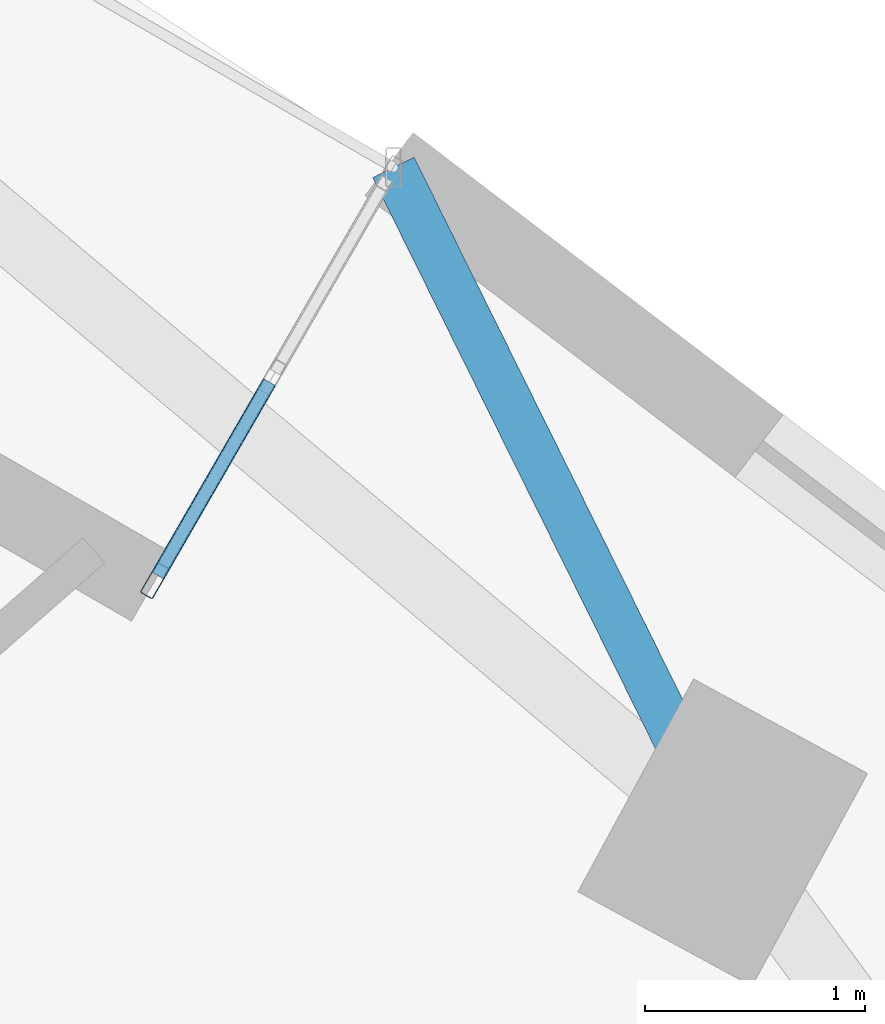
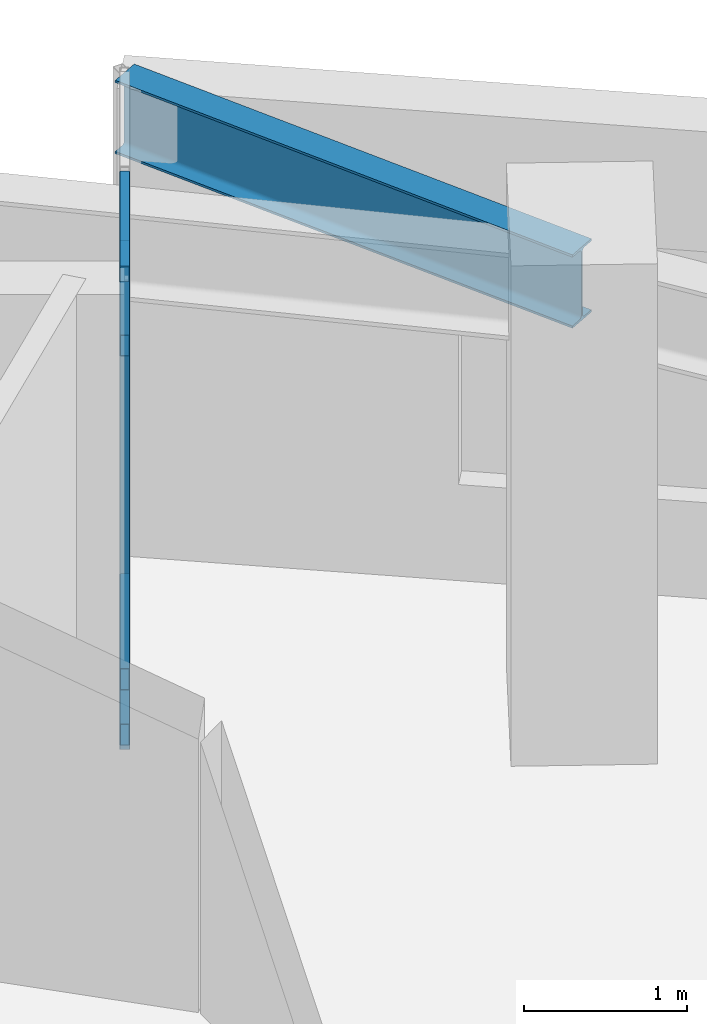
# One storey, part 2 of 14: 5 members, 1 beam, 1 element without a shape of its own.
"""IFC4 building model written with IfcOpenShell, lengths in metres."""

from ifc_helpers import new_model, si_unit, direction, frame, origin, origin_2d, place, context, subcontext, project, spatial, hollow_rectangle, i_section, extrude, material, layer, layer_set, material_profile, profile_set, type_object, element, aggregate, save


model = new_model("IFC4")

# Units and contexts
model_context = context("Model", 3, precision=1e-05, world=origin(), true_north=direction((0.0, 1.0)))
body_context = subcontext(model_context, "Body", "Model", "MODEL_VIEW")
ifc_project = project(units=[si_unit("LENGTHUNIT", "METRE"), si_unit("AREAUNIT", "SQUARE_METRE"), si_unit("VOLUMEUNIT", "CUBIC_METRE"), si_unit("PLANEANGLEUNIT", "RADIAN"), si_unit("MASSUNIT", "GRAM", prefix="KILO")], contexts=[model_context])

# Site, building, storey
site_placement = place(None, origin())
site = spatial("IfcSite", under=ifc_project, at=site_placement, CompositionType="ELEMENT")
building_placement = place(site_placement, origin())
building = spatial("IfcBuilding", under=site, at=building_placement, Name="Ndelora Gate Hotel", CompositionType="ELEMENT")
storey_placement = place(building_placement, frame((0.0, 0.0, 119.75)))
storey = spatial("IfcBuildingStorey", under=building, at=storey_placement, Name="L29", CompositionType="ELEMENT", Elevation=119.75)

# Beam
ifc_material_1 = material(Name="Steel S355", Category="steel")
ifc_material_profile_1 = material_profile(ifc_material_1, i_section(OverallWidth=0.2099609375, OverallDepth=0.550048828125, WebThickness=0.010986328125, FlangeThickness=0.01708984375, FilletRadius=0.02392578125, at=origin_2d()), Name="IPE 550")
ifc_profile_set_1 = profile_set([ifc_material_profile_1], Name="Steel S355")
beam_type = type_object("IfcBeamType", Name="BM-RAD-550", PredefinedType="BEAM", material=ifc_profile_set_1)
beam_placement = place(storey_placement, frame((14.30712890625, 8.767333984375, 3.22509765625), z_axis=(-0.44364812244, 0.896201061959, 0.0), x_axis=(-0.896201061959, -0.44364812244, 0.0)))
element("IfcBeam", 1, at=beam_placement, inside=storey, type_object=beam_type, Name="L29 Sky-Garden Loggia Column Bracket 1", PredefinedType="BEAM", context=body_context, shape_type="SweptSolid", body=[
    extrude(i_section(OverallWidth=0.2099609375, OverallDepth=0.550048828125, WebThickness=0.010986328125, FlangeThickness=0.01708984375, FilletRadius=0.02392578125, at=origin_2d()), origin(), (0.0, 0.0, 1.0), 3.372314453125),
])

# Curtain wall, members
ifc_material_2 = material(Name="Bronze Anodised Unitised Aluminium and Low-E Glass", Category="aluminium")
ifc_layer = layer(ifc_material_2, 0.199951171875)
ifc_layer_set = layer_set([ifc_layer], Name="Bronze Anodised Unitised Aluminium and Low-E Glass")
curtain_wall_type = type_object("IfcCurtainWallType", Name="CW-SYS-3", PredefinedType="NOTDEFINED", material=ifc_layer_set)
curtain_wall_placement = place(storey_placement, origin())
curtain_wall = element("IfcCurtainWall", 2, at=curtain_wall_placement, inside=storey, type_object=curtain_wall_type, Name="L29 Sky-Garden Loggia Side Curtain Wall CW3-1", PredefinedType="NOTDEFINED")
ifc_material_3 = material(Name="Bronze Anodised Aluminium 6063-T6", Category="aluminium")
ifc_material_profile_2 = material_profile(ifc_material_3, hollow_rectangle(XDim=0.06494140625, YDim=0.159912109375, WallThickness=0.00390625, InnerFilletRadius=0.00390625, OuterFilletRadius=0.008056640625, at=origin_2d()), Name="ALU 160x65x4")
ifc_profile_set_2 = profile_set([ifc_material_profile_2], Name="Bronze Anodised Aluminium 6063-T6")
member_type_1 = type_object("IfcMemberType", Name="MB-CW-MUL150", PredefinedType="MULLION", material=ifc_profile_set_2)
member_1_placement = place(storey_placement, frame((11.727294921875, 9.912353515625, -0.00390625), z_axis=(0.0, 0.0, 1.0), x_axis=(-0.866019052627, 0.500011000366, 0.0)))
member_1 = element("IfcMember", 3, at=member_1_placement, type_object=member_type_1, Name="CW3 mullion 1", PredefinedType="MULLION", context=body_context, shape_type="SweptSolid", body=[
    extrude(hollow_rectangle(XDim=0.06494140625, YDim=0.159912109375, WallThickness=0.00390625, InnerFilletRadius=0.00390625, OuterFilletRadius=0.008056640625, at=origin_2d()), origin(), (0.0, 0.0, 1.0), 3.5078125),
])
ifc_material_profile_3 = material_profile(ifc_material_3, hollow_rectangle(XDim=0.06494140625, YDim=0.159912109375, WallThickness=0.00390625, InnerFilletRadius=0.00390625, OuterFilletRadius=0.008056640625, at=origin_2d()), Name="ALU 160x65x4")
ifc_profile_set_3 = profile_set([ifc_material_profile_3], Name="Bronze Anodised Aluminium 6063-T6")
member_type_2 = type_object("IfcMemberType", Name="MB-CW-TRN150", PredefinedType="USERDEFINED", material=ifc_profile_set_3)
member_2_placement = place(storey_placement, frame((11.74072265625, 9.935302734375, 0.032470703125), z_axis=(0.499840506035, 0.866117468088, 0.0), x_axis=(-0.866117468088, 0.499840506035, 0.0)))
member_2 = element("IfcMember", 4, at=member_2_placement, type_object=member_type_2, Name="CW3 transom 1.1", ObjectType="TRANSOM", PredefinedType="USERDEFINED", context=body_context, shape_type="SweptSolid", body=[
    extrude(hollow_rectangle(XDim=0.06494140625, YDim=0.159912109375, WallThickness=0.00390625, InnerFilletRadius=0.00390625, OuterFilletRadius=0.008056640625, at=origin_2d()), origin(), (0.0, 0.0, 1.0), 1.014404296875),
])
member_3_placement = place(storey_placement, frame((11.74072265625, 9.935302734375, 0.449951171875), z_axis=(0.499840506035, 0.866117468088, 0.0), x_axis=(-0.866117468088, 0.499840506035, 0.0)))
member_3 = element("IfcMember", 5, at=member_3_placement, type_object=member_type_2, Name="CW3 transom 1.2", ObjectType="TRANSOM", PredefinedType="USERDEFINED", context=body_context, shape_type="SweptSolid", body=[
    extrude(hollow_rectangle(XDim=0.06494140625, YDim=0.159912109375, WallThickness=0.00390625, InnerFilletRadius=0.00390625, OuterFilletRadius=0.008056640625, at=origin_2d()), origin(), (0.0, 0.0, 1.0), 1.014404296875),
])
member_4_placement = place(storey_placement, frame((11.74072265625, 9.935302734375, 2.949951171875), z_axis=(0.499840506035, 0.866117468088, 0.0), x_axis=(-0.866117468088, 0.499840506035, 0.0)))
member_4 = element("IfcMember", 6, at=member_4_placement, type_object=member_type_2, Name="CW3 transom 1.3", ObjectType="TRANSOM", PredefinedType="USERDEFINED", context=body_context, shape_type="SweptSolid", body=[
    extrude(hollow_rectangle(XDim=0.06494140625, YDim=0.159912109375, WallThickness=0.00390625, InnerFilletRadius=0.00390625, OuterFilletRadius=0.008056640625, at=origin_2d()), origin(), (0.0, 0.0, 1.0), 1.014404296875),
])
member_5_placement = place(storey_placement, frame((11.74072265625, 9.935302734375, 3.467529296875), z_axis=(0.499840506035, 0.866117468088, 0.0), x_axis=(-0.866117468088, 0.499840506035, 0.0)))
member_5 = element("IfcMember", 7, at=member_5_placement, type_object=member_type_2, Name="CW3 transom 1.4", ObjectType="TRANSOM", PredefinedType="USERDEFINED", context=body_context, shape_type="SweptSolid", body=[
    extrude(hollow_rectangle(XDim=0.06494140625, YDim=0.159912109375, WallThickness=0.00390625, InnerFilletRadius=0.00390625, OuterFilletRadius=0.008056640625, at=origin_2d()), origin(), (0.0, 0.0, 1.0), 1.014404296875),
])
aggregate(curtain_wall, [member_1, member_2, member_3, member_4, member_5])

save(model, "model.ifc")
